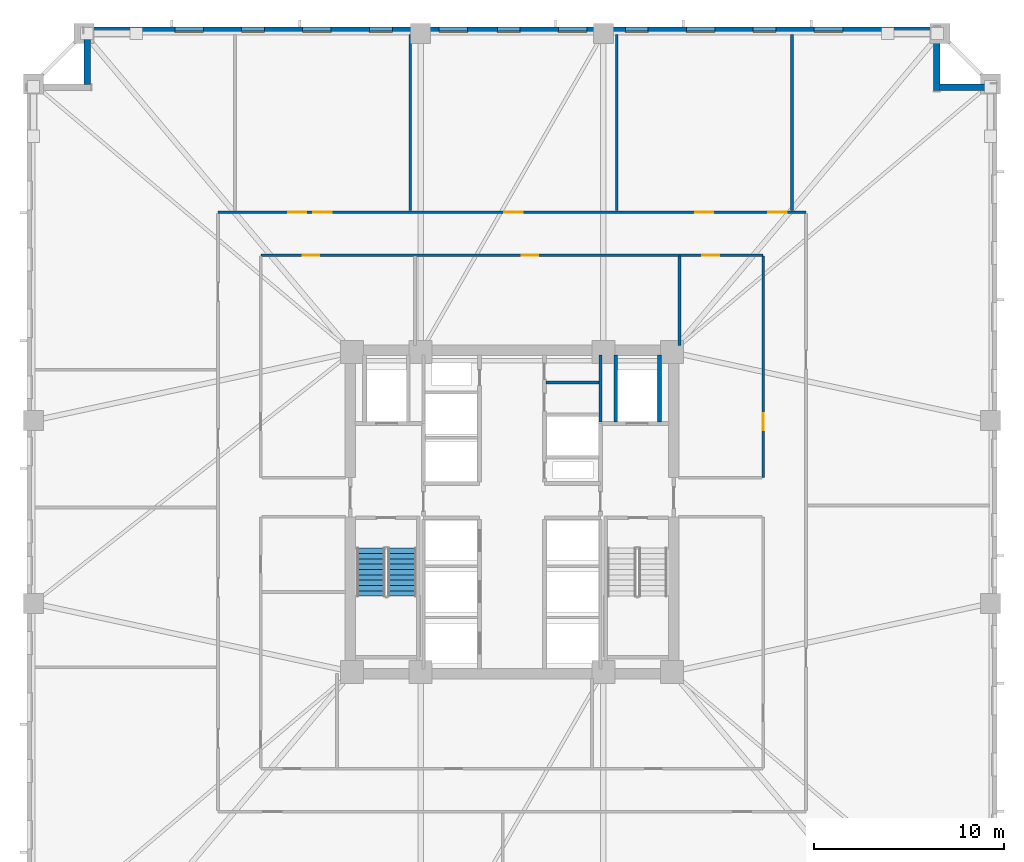
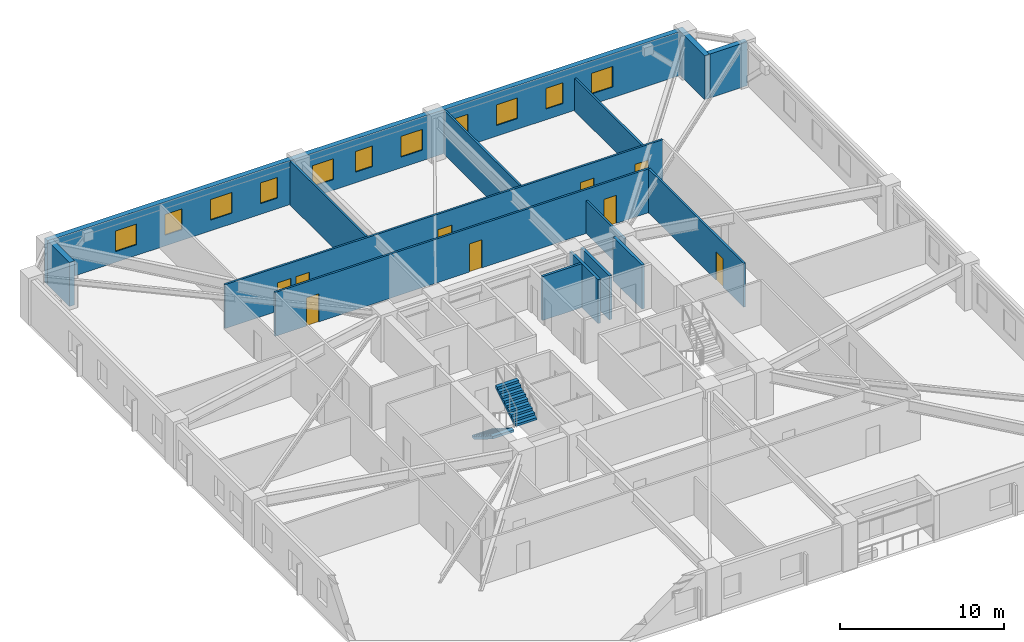
# One storey, part 5 of 11: 15 walls, 11 windows, 9 doors, 2 stair flights, 20 openings, 1 element without a shape of its own.
"""IFC4 building model written with IfcOpenShell, lengths in metres."""

from ifc_helpers import new_model, si_unit, direction, frame, frame_2d, origin, place, context, subcontext, project, spatial, polyline, rectangle, outline, extrude, material, layer, layer_set, type_object, element, fill, aggregate, save


model = new_model("IFC4")

# Units and contexts
model_context = context("Model", 3, precision=1e-05, world=origin(), true_north=direction((0.0, 1.0)))
body_context = subcontext(model_context, "Body", "Model", "MODEL_VIEW")
ifc_project = project(units=[si_unit("LENGTHUNIT", "METRE"), si_unit("AREAUNIT", "SQUARE_METRE"), si_unit("VOLUMEUNIT", "CUBIC_METRE"), si_unit("PLANEANGLEUNIT", "RADIAN"), si_unit("MASSUNIT", "GRAM", prefix="KILO")], contexts=[model_context])

# Site, building, storey
site_placement = place(None, origin())
site = spatial("IfcSite", under=ifc_project, at=site_placement, CompositionType="ELEMENT")
building_placement = place(site_placement, origin())
building = spatial("IfcBuilding", under=site, at=building_placement, Name="Cairnveth Concourse Tower", CompositionType="ELEMENT")
storey_placement = place(building_placement, frame((0.0, 0.0, 44.5)))
storey = spatial("IfcBuildingStorey", under=building, at=storey_placement, Name="L11", CompositionType="ELEMENT", Elevation=44.5)

# Walls
ifc_material_1 = material(Name="Gypsum Plasterboard Partition", Category="gypsum")
ifc_layer_1 = layer(ifc_material_1, 0.159912109375)
ifc_layer_set_1 = layer_set([ifc_layer_1], Name="Gypsum Plasterboard Partition")
wall_type_1 = type_object("IfcWallType", Name="ACOUSTIC PARTY WALL 180", PredefinedType="PARTITIONING", material=ifc_layer_set_1)
wall_1_placement = place(storey_placement, frame((53.784912109375, 45.800048828125, 0.0), z_axis=(0.0, 0.0, 1.0), x_axis=(1.0, 0.0, 0.0)))
element("IfcWall", 1, at=wall_1_placement, inside=storey, type_object=wall_type_1, Name="Interior Wall IW-L11-037", PredefinedType="PARTITIONING", context=body_context, shape_type="SweptSolid", body=[
    extrude(rectangle(XDim=2.7900390625, YDim=0.159912109375, at=frame_2d((1.39501953125, 0.0))), origin(), (0.0, 0.0, 1.0), 3.280029296875),
])
ifc_material_2 = material(Name="Concrete N50 (50 MPa)", Category="concrete")
ifc_layer_2 = layer(ifc_material_2, 0.179931640625)
ifc_layer_set_2 = layer_set([ifc_layer_2], Name="Concrete N50 (50 MPa)")
wall_type_2 = type_object("IfcWallType", Name="FIRE SHAFT WALL 180", PredefinedType="SOLIDWALL", material=ifc_layer_set_2)
wall_2_placement = place(storey_placement, frame((56.64990234375, 43.735107421875, 0.0), z_axis=(0.0, 0.0, 1.0), x_axis=(0.0, 1.0, 0.0)))
element("IfcWall", 2, at=wall_2_placement, inside=storey, type_object=wall_type_2, Name="Interior Wall IW-L11-034", PredefinedType="SOLIDWALL", context=body_context, shape_type="SweptSolid", body=[
    extrude(rectangle(XDim=3.5048828125, YDim=0.179931640625, at=frame_2d((1.75244140625, 0.0))), origin(), (0.0, 0.0, 1.0), 3.280029296875),
])
ifc_layer_3 = layer(ifc_material_2, 0.199951171875)
ifc_layer_set_3 = layer_set([ifc_layer_3], Name="Concrete N50 (50 MPa)")
wall_type_3 = type_object("IfcWallType", Name="FIRE SHAFT WALL 200", PredefinedType="SOLIDWALL", material=ifc_layer_set_3)
for number, where, z_axis, x_axis, name in (
    (3, (57.449951171875, 43.735107421875, 0.0), (0.0, 0.0, 1.0), (0.0, 1.0, 0.0), "Interior Wall IW-L11-023"),
    (4, (59.75, 43.735107421875, 0.0), (0.0, 0.0, 1.0), (0.0, 1.0, 0.0), "Interior Wall IW-L11-024"),
):
    element("IfcWall", number, at=place(storey_placement, frame(where, z_axis=z_axis, x_axis=x_axis)), inside=storey, type_object=wall_type_3, Name=name, PredefinedType="SOLIDWALL", context=body_context, shape_type="SweptSolid", body=[
        extrude(rectangle(XDim=3.5048828125, YDim=0.199951171875, at=frame_2d((1.75244140625, 0.0))), origin(), (0.0, 0.0, 1.0), 3.280029296875),
    ])

# Wall, openings, doors
ifc_layer_4 = layer(ifc_material_1, 0.139892578125)
ifc_layer_set_4 = layer_set([ifc_layer_4], Name="Gypsum Plasterboard Partition")
wall_type_4 = type_object("IfcWallType", Name="GYPSUM STUD PARTITION 140", PredefinedType="PARTITIONING", material=ifc_layer_set_4)
wall_3_placement = place(storey_placement, frame((36.550048828125, 54.75, 0.0), z_axis=(0.0, 0.0, 1.0), x_axis=(1.0, 0.0, 0.0)))
wall_3 = element("IfcWall", 5, at=wall_3_placement, inside=storey, type_object=wall_type_4, Name="Interior Wall IW-L11-039", PredefinedType="PARTITIONING", context=body_context, shape_type="SweptSolid", body=[
    extrude(rectangle(XDim=30.89990234375, YDim=0.139892578125, at=frame_2d((15.449951171875, 0.0))), origin(), (0.0, 0.0, 1.0), 3.280029296875),
])
opening_1_placement = place(wall_3_placement, frame((3.690185546875, 0.0, 0.0)))
opening_1 = element("IfcOpeningElement", 6, at=opening_1_placement, cuts=wall_3, Name="Opening ID11", PredefinedType="OPENING", context=body_context, shape_type="SweptSolid", body=[
    extrude(rectangle(XDim=0.9599609375, YDim=2.1201171875, at=frame_2d((0.47998046875, 1.06005859375))), frame((0.0, 0.079833984375, 0.0), z_axis=(0.0, -1.0, 0.0), x_axis=(1.0, 0.0, 0.0)), (0.0, 0.0, 1.0), 0.159912109375),
])
opening_2_placement = place(wall_3_placement, frame((5.012939453125, 0.0, 0.0)))
opening_2 = element("IfcOpeningElement", 7, at=opening_2_placement, cuts=wall_3, Name="Opening ID11", PredefinedType="OPENING", context=body_context, shape_type="SweptSolid", body=[
    extrude(rectangle(XDim=0.9599609375, YDim=2.1201171875, at=frame_2d((0.47998046875, 1.06005859375))), frame((0.0, 0.079833984375, 0.0), z_axis=(0.0, -1.0, 0.0), x_axis=(1.0, 0.0, 0.0)), (0.0, 0.0, 1.0), 0.159912109375),
])
opening_3_placement = place(wall_3_placement, frame((15.044921875, 0.0, 0.0)))
opening_3 = element("IfcOpeningElement", 8, at=opening_3_placement, cuts=wall_3, Name="Opening ID11", PredefinedType="OPENING", context=body_context, shape_type="SweptSolid", body=[
    extrude(rectangle(XDim=0.9599609375, YDim=2.1201171875, at=frame_2d((0.47998046875, 1.06005859375))), frame((0.0, 0.079833984375, 0.0), z_axis=(0.0, -1.0, 0.0), x_axis=(1.0, 0.0, 0.0)), (0.0, 0.0, 1.0), 0.159912109375),
])
opening_4_placement = place(wall_3_placement, frame((25.076904296875, 0.0, 0.0)))
opening_4 = element("IfcOpeningElement", 9, at=opening_4_placement, cuts=wall_3, Name="Opening ID11", PredefinedType="OPENING", context=body_context, shape_type="SweptSolid", body=[
    extrude(rectangle(XDim=0.9599609375, YDim=2.1201171875, at=frame_2d((0.47998046875, 1.06005859375))), frame((0.0, 0.079833984375, 0.0), z_axis=(0.0, -1.0, 0.0), x_axis=(1.0, 0.0, 0.0)), (0.0, 0.0, 1.0), 0.159912109375),
])
opening_5_placement = place(wall_3_placement, frame((28.919921875, 0.0, 0.0)))
opening_5 = element("IfcOpeningElement", 10, at=opening_5_placement, cuts=wall_3, Name="Opening ID11", PredefinedType="OPENING", context=body_context, shape_type="SweptSolid", body=[
    extrude(rectangle(XDim=0.9599609375, YDim=2.1201171875, at=frame_2d((0.47998046875, 1.06005859375))), frame((0.0, 0.079833984375, 0.0), z_axis=(0.0, -1.0, 0.0), x_axis=(1.0, 0.0, 0.0)), (0.0, 0.0, 1.0), 0.159912109375),
])
ifc_material_3 = material(Name="Solid Core Hardwood Timber Leaf", Category="wood")
door_type_1 = type_object("IfcDoorType", Name="INTERIOR SINGLE DOOR 960X2150", OperationType="NOTDEFINED", PredefinedType="DOOR", material=ifc_material_3)
door_1_placement = place(opening_1_placement, origin())
door_1 = element("IfcDoor", 11, at=door_1_placement, inside=storey, type_object=door_type_1, Name="Office Door L11-N1", OperationType="SINGLE_SWING_LEFT", OverallHeight=2.1201171875, OverallWidth=0.9599609375, PredefinedType="DOOR", context=body_context, shape_type="SweptSolid", body=[
    extrude(rectangle(XDim=0.9599609375, YDim=2.1201171875, at=frame_2d((0.47998046875, 1.06005859375))), frame((0.0, 0.02490234375, 0.0), z_axis=(0.0, -1.0, 0.0), x_axis=(1.0, 0.0, 0.0)), (0.0, 0.0, 1.0), 0.050048828125),
])
fill(opening_1, door_1)
door_2_placement = place(opening_2_placement, origin())
door_2 = element("IfcDoor", 12, at=door_2_placement, inside=storey, type_object=door_type_1, Name="Office Door L11-N2", OperationType="SINGLE_SWING_RIGHT", OverallHeight=2.1201171875, OverallWidth=0.9599609375, PredefinedType="DOOR", context=body_context, shape_type="SweptSolid", body=[
    extrude(rectangle(XDim=0.9599609375, YDim=2.1201171875, at=frame_2d((0.47998046875, 1.06005859375))), frame((0.0, 0.02490234375, 0.0), z_axis=(0.0, -1.0, 0.0), x_axis=(1.0, 0.0, 0.0)), (0.0, 0.0, 1.0), 0.050048828125),
])
fill(opening_2, door_2)
door_3_placement = place(opening_3_placement, origin())
door_3 = element("IfcDoor", 13, at=door_3_placement, inside=storey, type_object=door_type_1, Name="Office Door L11-N3", OperationType="SINGLE_SWING_LEFT", OverallHeight=2.1201171875, OverallWidth=0.9599609375, PredefinedType="DOOR", context=body_context, shape_type="SweptSolid", body=[
    extrude(rectangle(XDim=0.9599609375, YDim=2.1201171875, at=frame_2d((0.47998046875, 1.06005859375))), frame((0.0, 0.02490234375, 0.0), z_axis=(0.0, -1.0, 0.0), x_axis=(1.0, 0.0, 0.0)), (0.0, 0.0, 1.0), 0.050048828125),
])
fill(opening_3, door_3)
door_4_placement = place(opening_4_placement, origin())
door_4 = element("IfcDoor", 14, at=door_4_placement, inside=storey, type_object=door_type_1, Name="Office Door L11-N4", OperationType="SINGLE_SWING_RIGHT", OverallHeight=2.1201171875, OverallWidth=0.9599609375, PredefinedType="DOOR", context=body_context, shape_type="SweptSolid", body=[
    extrude(rectangle(XDim=0.9599609375, YDim=2.1201171875, at=frame_2d((0.47998046875, 1.06005859375))), frame((0.0, 0.02490234375, 0.0), z_axis=(0.0, -1.0, 0.0), x_axis=(1.0, 0.0, 0.0)), (0.0, 0.0, 1.0), 0.050048828125),
])
fill(opening_4, door_4)
door_5_placement = place(opening_5_placement, origin())
door_5 = element("IfcDoor", 15, at=door_5_placement, inside=storey, type_object=door_type_1, Name="Office Door L11-N5", OperationType="SINGLE_SWING_LEFT", OverallHeight=2.1201171875, OverallWidth=0.9599609375, PredefinedType="DOOR", context=body_context, shape_type="SweptSolid", body=[
    extrude(rectangle(XDim=0.9599609375, YDim=2.1201171875, at=frame_2d((0.47998046875, 1.06005859375))), frame((0.0, 0.02490234375, 0.0), z_axis=(0.0, -1.0, 0.0), x_axis=(1.0, 0.0, 0.0)), (0.0, 0.0, 1.0), 0.050048828125),
])
fill(opening_5, door_5)

wall_4_placement = place(storey_placement, frame((38.800048828125, 52.5, 0.0), z_axis=(0.0, 0.0, 1.0), x_axis=(1.0, 0.0, 0.0)))
wall_4 = element("IfcWall", 16, at=wall_4_placement, inside=storey, type_object=wall_type_4, Name="Interior Wall IW-L11-043", PredefinedType="PARTITIONING", context=body_context, shape_type="SweptSolid", body=[
    extrude(rectangle(XDim=26.39990234375, YDim=0.139892578125, at=frame_2d((13.199951171875, 0.0))), origin(), (0.0, 0.0, 1.0), 3.280029296875),
])
opening_6_placement = place(wall_4_placement, frame((2.199951171875, 0.0, 0.0)))
opening_6 = element("IfcOpeningElement", 17, at=opening_6_placement, cuts=wall_4, Name="Opening ID18", PredefinedType="OPENING", context=body_context, shape_type="SweptSolid", body=[
    extrude(rectangle(XDim=0.8798828125, YDim=2.10009765625, at=frame_2d((0.43994140625, 1.050048828125))), frame((0.0, 0.079833984375, 0.0), z_axis=(0.0, -1.0, 0.0), x_axis=(1.0, 0.0, 0.0)), (0.0, 0.0, 1.0), 0.159912109375),
])
opening_7_placement = place(wall_4_placement, frame((13.699951171875, 0.0, 0.0)))
opening_7 = element("IfcOpeningElement", 18, at=opening_7_placement, cuts=wall_4, Name="Opening ID18", PredefinedType="OPENING", context=body_context, shape_type="SweptSolid", body=[
    extrude(rectangle(XDim=0.8798828125, YDim=2.10009765625, at=frame_2d((0.43994140625, 1.050048828125))), frame((0.0, 0.079833984375, 0.0), z_axis=(0.0, -1.0, 0.0), x_axis=(1.0, 0.0, 0.0)), (0.0, 0.0, 1.0), 0.159912109375),
])
opening_8_placement = place(wall_4_placement, frame((23.199951171875, 0.0, 0.0)))
opening_8 = element("IfcOpeningElement", 19, at=opening_8_placement, cuts=wall_4, Name="Opening ID18", PredefinedType="OPENING", context=body_context, shape_type="SweptSolid", body=[
    extrude(rectangle(XDim=0.8798828125, YDim=2.10009765625, at=frame_2d((0.43994140625, 1.050048828125))), frame((0.0, 0.079833984375, 0.0), z_axis=(0.0, -1.0, 0.0), x_axis=(1.0, 0.0, 0.0)), (0.0, 0.0, 1.0), 0.159912109375),
])
door_type_2 = type_object("IfcDoorType", Name="INTERIOR SINGLE DOOR 880X2100", OperationType="NOTDEFINED", PredefinedType="DOOR", material=ifc_material_3)
door_6_placement = place(opening_6_placement, origin())
door_6 = element("IfcDoor", 20, at=door_6_placement, inside=storey, type_object=door_type_2, Name="Interior Door DR-L11-017", OperationType="SINGLE_SWING_LEFT", OverallHeight=2.10009765625, OverallWidth=0.8798828125, PredefinedType="DOOR", context=body_context, shape_type="SweptSolid", body=[
    extrude(rectangle(XDim=0.8798828125, YDim=2.10009765625, at=frame_2d((0.43994140625, 1.050048828125))), frame((0.0, 0.02490234375, 0.0), z_axis=(0.0, -1.0, 0.0), x_axis=(1.0, 0.0, 0.0)), (0.0, 0.0, 1.0), 0.050048828125),
])
fill(opening_6, door_6)
door_7_placement = place(opening_7_placement, origin())
door_7 = element("IfcDoor", 21, at=door_7_placement, inside=storey, type_object=door_type_2, Name="Interior Door DR-L11-018", OperationType="SINGLE_SWING_RIGHT", OverallHeight=2.10009765625, OverallWidth=0.8798828125, PredefinedType="DOOR", context=body_context, shape_type="SweptSolid", body=[
    extrude(rectangle(XDim=0.8798828125, YDim=2.10009765625, at=frame_2d((0.43994140625, 1.050048828125))), frame((0.0, 0.02490234375, 0.0), z_axis=(0.0, -1.0, 0.0), x_axis=(1.0, 0.0, 0.0)), (0.0, 0.0, 1.0), 0.050048828125),
])
fill(opening_7, door_7)
door_8_placement = place(opening_8_placement, origin())
door_8 = element("IfcDoor", 22, at=door_8_placement, inside=storey, type_object=door_type_2, Name="Interior Door DR-L11-019", OperationType="SINGLE_SWING_LEFT", OverallHeight=2.10009765625, OverallWidth=0.8798828125, PredefinedType="DOOR", context=body_context, shape_type="SweptSolid", body=[
    extrude(rectangle(XDim=0.8798828125, YDim=2.10009765625, at=frame_2d((0.43994140625, 1.050048828125))), frame((0.0, 0.02490234375, 0.0), z_axis=(0.0, -1.0, 0.0), x_axis=(1.0, 0.0, 0.0)), (0.0, 0.0, 1.0), 0.050048828125),
])
fill(opening_8, door_8)

# Wall, opening, door
wall_5_placement = place(storey_placement, frame((65.199951171875, 40.800048828125, 0.0), z_axis=(0.0, 0.0, 1.0), x_axis=(0.0, 1.0, 0.0)))
wall_5 = element("IfcWall", 23, at=wall_5_placement, inside=storey, type_object=wall_type_4, Name="Interior Wall IW-L11-049", PredefinedType="PARTITIONING", context=body_context, shape_type="SweptSolid", body=[
    extrude(rectangle(XDim=11.64501953125, YDim=0.139892578125, at=frame_2d((5.822509765625, 0.0))), origin(), (0.0, 0.0, 1.0), 3.280029296875),
])
opening_9_placement = place(wall_5_placement, frame((2.5, 0.0, 0.0)))
opening_9 = element("IfcOpeningElement", 24, at=opening_9_placement, cuts=wall_5, Name="Opening ID18", PredefinedType="OPENING", context=body_context, shape_type="SweptSolid", body=[
    extrude(rectangle(XDim=0.8798828125, YDim=2.10009765625, at=frame_2d((0.43994140625, 1.050048828125))), frame((0.0, 0.079833984375, 0.0), z_axis=(0.0, -1.0, 0.0), x_axis=(1.0, 0.0, 0.0)), (0.0, 0.0, 1.0), 0.159912109375),
])
door_9_placement = place(opening_9_placement, origin())
door_9 = element("IfcDoor", 25, at=door_9_placement, inside=storey, type_object=door_type_2, Name="Interior Door DR-L11-024", OperationType="SINGLE_SWING_RIGHT", OverallHeight=2.10009765625, OverallWidth=0.8798828125, PredefinedType="DOOR", context=body_context, shape_type="SweptSolid", body=[
    extrude(rectangle(XDim=0.8798828125, YDim=2.10009765625, at=frame_2d((0.43994140625, 1.050048828125))), frame((0.0, 0.02490234375, 0.0), z_axis=(0.0, -1.0, 0.0), x_axis=(1.0, 0.0, 0.0)), (0.0, 0.0, 1.0), 0.050048828125),
])
fill(opening_9, door_9)

# Walls
wall_6_placement = place(storey_placement, frame((60.800048828125, 47.760009765625, 0.0), z_axis=(0.0, 0.0, 1.0), x_axis=(0.0, 1.0, 0.0)))
element("IfcWall", 26, at=wall_6_placement, inside=storey, type_object=wall_type_4, Name="Interior Wall IW-L11-055", PredefinedType="PARTITIONING", context=body_context, shape_type="SweptSolid", body=[
    extrude(rectangle(XDim=4.68505859375, YDim=0.139892578125, at=frame_2d((2.342529296875, 0.0))), origin(), (0.0, 0.0, 1.0), 2.43896484375),
])
for number, where, z_axis, x_axis, name in (
    (27, (46.646484375, 54.85009765625, 0.0), (0.0, 0.0, 1.0), (0.0, 1.0, 0.0), "Interior Wall IW-L11-059"),
    (28, (57.50341796875, 54.85009765625, 0.0), (0.0, 0.0, 1.0), (0.0, 1.0, 0.0), "Interior Wall IW-L11-060"),
):
    element("IfcWall", number, at=place(storey_placement, frame(where, z_axis=z_axis, x_axis=x_axis)), inside=storey, type_object=wall_type_4, Name=name, PredefinedType="PARTITIONING", context=body_context, shape_type="SweptSolid", body=[
        extrude(rectangle(XDim=9.22998046875, YDim=0.139892578125, at=frame_2d((4.614990234375, 0.0))), origin(), (0.0, 0.0, 1.0), 3.280029296875),
    ])
wall_7_placement = place(storey_placement, frame((66.71044921875, 54.85009765625, 0.0), z_axis=(0.0, 0.0, 1.0), x_axis=(0.0, 1.0, 0.0)))
element("IfcWall", 29, at=wall_7_placement, inside=storey, type_object=wall_type_4, Name="Interior Wall IW-L11-061", PredefinedType="PARTITIONING", context=body_context, shape_type="SweptSolid", body=[
    extrude(rectangle(XDim=9.22998046875, YDim=0.139892578125, at=frame_2d((4.614990234375, 0.0))), origin(), (0.0, 0.0, 1.0), 2.43896484375),
])
ifc_material_4 = material(Name="Hawthorn Red-Ochre Fired Clay Brick Masonry", Category="masonry")
ifc_layer_5 = layer(ifc_material_4, 0.360107421875)
ifc_layer_set_5 = layer_set([ifc_layer_5], Name="Hawthorn Red-Ochre Fired Clay Brick Masonry")
wall_type_5 = type_object("IfcWallType", Name="ZONE 1 BRICK PIER SPANDREL WALL 360", PredefinedType="SOLIDWALL", material=ifc_layer_set_5)
wall_8_placement = place(storey_placement, frame((29.679931640625, 61.47802734375, 0.0), z_axis=(0.0, 0.0, 1.0), x_axis=(0.0, 1.0, 0.0)))
element("IfcWall", 30, at=wall_8_placement, inside=storey, type_object=wall_type_5, Name="Exterior Wall EW-L11-S05", PredefinedType="SOLIDWALL", context=body_context, shape_type="SweptSolid", body=[
    extrude(rectangle(XDim=2.68408203125, YDim=0.360107421875, at=frame_2d((1.342041015625, 0.0))), origin(), (0.0, 0.0, 1.0), 3.280029296875),
])

# Wall, openings, windows
wall_9_placement = place(storey_placement, frame((29.5, 64.320068359375, 0.0), z_axis=(0.0, 0.0, 1.0), x_axis=(1.0, 0.0, 0.0)))
wall_9 = element("IfcWall", 31, at=wall_9_placement, inside=storey, type_object=wall_type_5, Name="Exterior Wall EW-L11-S06", PredefinedType="SOLIDWALL", context=body_context, shape_type="SweptSolid", body=[
    extrude(rectangle(XDim=44.662109375, YDim=0.360107421875, at=frame_2d((22.3310546875, 0.0))), origin(), (0.0, 0.0, 1.0), 3.280029296875),
])
opening_10_placement = place(wall_9_placement, frame((4.780029296875, 0.0, 0.800048828125)))
opening_10 = element("IfcOpeningElement", 32, at=opening_10_placement, cuts=wall_9, Name="Opening W03", PredefinedType="OPENING", context=body_context, shape_type="SweptSolid", body=[
    extrude(rectangle(XDim=1.5, YDim=1.5439453125, at=frame_2d((0.75, 0.77197265625))), frame((0.0, 0.18994140625, 0.0), z_axis=(0.0, -1.0, 0.0), x_axis=(1.0, 0.0, 0.0)), (0.0, 0.0, 1.0), 0.380126953125),
])
opening_11_placement = place(wall_9_placement, frame((8.290283203125, 0.0, 0.800048828125)))
opening_11 = element("IfcOpeningElement", 33, at=opening_11_placement, cuts=wall_9, Name="Opening W01", PredefinedType="OPENING", context=body_context, shape_type="SweptSolid", body=[
    extrude(rectangle(XDim=1.199951171875, YDim=1.5439453125, at=frame_2d((0.60009765625, 0.77197265625))), frame((0.0, 0.18994140625, 0.0), z_axis=(0.0, -1.0, 0.0), x_axis=(1.0, 0.0, 0.0)), (0.0, 0.0, 1.0), 0.380126953125),
])
opening_12_placement = place(wall_9_placement, frame((11.50048828125, 0.0, 0.800048828125)))
opening_12 = element("IfcOpeningElement", 34, at=opening_12_placement, cuts=wall_9, Name="Opening W03", PredefinedType="OPENING", context=body_context, shape_type="SweptSolid", body=[
    extrude(rectangle(XDim=1.5, YDim=1.5439453125, at=frame_2d((0.75, 0.77197265625))), frame((0.0, 0.18994140625, 0.0), z_axis=(0.0, -1.0, 0.0), x_axis=(1.0, 0.0, 0.0)), (0.0, 0.0, 1.0), 0.380126953125),
])
opening_13_placement = place(wall_9_placement, frame((15.010498046875, 0.0, 0.800048828125)))
opening_13 = element("IfcOpeningElement", 35, at=opening_13_placement, cuts=wall_9, Name="Opening W01", PredefinedType="OPENING", context=body_context, shape_type="SweptSolid", body=[
    extrude(rectangle(XDim=1.199951171875, YDim=1.5439453125, at=frame_2d((0.60009765625, 0.77197265625))), frame((0.0, 0.18994140625, 0.0), z_axis=(0.0, -1.0, 0.0), x_axis=(1.0, 0.0, 0.0)), (0.0, 0.0, 1.0), 0.380126953125),
])
opening_14_placement = place(wall_9_placement, frame((18.6708984375, 0.0, 0.800048828125)))
opening_14 = element("IfcOpeningElement", 36, at=opening_14_placement, cuts=wall_9, Name="Opening W03", PredefinedType="OPENING", context=body_context, shape_type="SweptSolid", body=[
    extrude(rectangle(XDim=1.5, YDim=1.5439453125, at=frame_2d((0.75, 0.77197265625))), frame((0.0, 0.18994140625, 0.0), z_axis=(0.0, -1.0, 0.0), x_axis=(1.0, 0.0, 0.0)), (0.0, 0.0, 1.0), 0.380126953125),
])
opening_15_placement = place(wall_9_placement, frame((21.73095703125, 0.0, 0.800048828125)))
opening_15 = element("IfcOpeningElement", 37, at=opening_15_placement, cuts=wall_9, Name="Opening W01", PredefinedType="OPENING", context=body_context, shape_type="SweptSolid", body=[
    extrude(rectangle(XDim=1.199951171875, YDim=1.5439453125, at=frame_2d((0.60009765625, 0.77197265625))), frame((0.0, 0.18994140625, 0.0), z_axis=(0.0, -1.0, 0.0), x_axis=(1.0, 0.0, 0.0)), (0.0, 0.0, 1.0), 0.380126953125),
])
opening_16_placement = place(wall_9_placement, frame((24.941162109375, 0.0, 0.800048828125)))
opening_16 = element("IfcOpeningElement", 38, at=opening_16_placement, cuts=wall_9, Name="Opening W03", PredefinedType="OPENING", context=body_context, shape_type="SweptSolid", body=[
    extrude(rectangle(XDim=1.5, YDim=1.5439453125, at=frame_2d((0.75, 0.77197265625))), frame((0.0, 0.18994140625, 0.0), z_axis=(0.0, -1.0, 0.0), x_axis=(1.0, 0.0, 0.0)), (0.0, 0.0, 1.0), 0.380126953125),
])
opening_17_placement = place(wall_9_placement, frame((28.451416015625, 0.0, 0.800048828125)))
opening_17 = element("IfcOpeningElement", 39, at=opening_17_placement, cuts=wall_9, Name="Opening W01", PredefinedType="OPENING", context=body_context, shape_type="SweptSolid", body=[
    extrude(rectangle(XDim=1.199951171875, YDim=1.5439453125, at=frame_2d((0.60009765625, 0.77197265625))), frame((0.0, 0.18994140625, 0.0), z_axis=(0.0, -1.0, 0.0), x_axis=(1.0, 0.0, 0.0)), (0.0, 0.0, 1.0), 0.380126953125),
])
opening_18_placement = place(wall_9_placement, frame((31.66162109375, 0.0, 0.800048828125)))
opening_18 = element("IfcOpeningElement", 40, at=opening_18_placement, cuts=wall_9, Name="Opening W03", PredefinedType="OPENING", context=body_context, shape_type="SweptSolid", body=[
    extrude(rectangle(XDim=1.5, YDim=1.5439453125, at=frame_2d((0.75, 0.77197265625))), frame((0.0, 0.18994140625, 0.0), z_axis=(0.0, -1.0, 0.0), x_axis=(1.0, 0.0, 0.0)), (0.0, 0.0, 1.0), 0.380126953125),
])
opening_19_placement = place(wall_9_placement, frame((35.171630859375, 0.0, 0.800048828125)))
opening_19 = element("IfcOpeningElement", 41, at=opening_19_placement, cuts=wall_9, Name="Opening W01", PredefinedType="OPENING", context=body_context, shape_type="SweptSolid", body=[
    extrude(rectangle(XDim=1.199951171875, YDim=1.5439453125, at=frame_2d((0.60009765625, 0.77197265625))), frame((0.0, 0.18994140625, 0.0), z_axis=(0.0, -1.0, 0.0), x_axis=(1.0, 0.0, 0.0)), (0.0, 0.0, 1.0), 0.380126953125),
])
opening_20_placement = place(wall_9_placement, frame((38.3818359375, 0.0, 0.800048828125)))
opening_20 = element("IfcOpeningElement", 42, at=opening_20_placement, cuts=wall_9, Name="Opening W03", PredefinedType="OPENING", context=body_context, shape_type="SweptSolid", body=[
    extrude(rectangle(XDim=1.5, YDim=1.5439453125, at=frame_2d((0.75, 0.77197265625))), frame((0.0, 0.18994140625, 0.0), z_axis=(0.0, -1.0, 0.0), x_axis=(1.0, 0.0, 0.0)), (0.0, 0.0, 1.0), 0.380126953125),
])
ifc_material_5 = material(Name="Double Glazed Low-E Clear Glass", Category="glass")
window_type_1 = type_object("IfcWindowType", Name="DEEP-SET GOTHIC LANCET WINDOW 1200X1800", PartitioningType="DOUBLE_PANEL_VERTICAL", PredefinedType="WINDOW", material=ifc_material_5)
window_1_placement = place(opening_11_placement, origin())
window_1 = element("IfcWindow", 43, at=window_1_placement, inside=storey, type_object=window_type_1, Name="Gothic Lancet Window L11-6-2", OverallHeight=1.5439453125, OverallWidth=1.199951171875, PartitioningType="SINGLE_PANEL", PredefinedType="WINDOW", context=body_context, shape_type="SweptSolid", body=[
    extrude(rectangle(XDim=1.199951171875, YDim=1.5439453125, at=frame_2d((0.60009765625, 0.77197265625))), frame((0.0, -0.050048828125, 0.0), z_axis=(0.0, -1.0, 0.0), x_axis=(1.0, 0.0, 0.0)), (0.0, 0.0, 1.0), 0.06005859375),
])
fill(opening_11, window_1)
window_2_placement = place(opening_13_placement, origin())
window_2 = element("IfcWindow", 44, at=window_2_placement, inside=storey, type_object=window_type_1, Name="Gothic Lancet Window L11-6-4", OverallHeight=1.5439453125, OverallWidth=1.199951171875, PartitioningType="SINGLE_PANEL", PredefinedType="WINDOW", context=body_context, shape_type="SweptSolid", body=[
    extrude(rectangle(XDim=1.199951171875, YDim=1.5439453125, at=frame_2d((0.60009765625, 0.77197265625))), frame((0.0, -0.050048828125, 0.0), z_axis=(0.0, -1.0, 0.0), x_axis=(1.0, 0.0, 0.0)), (0.0, 0.0, 1.0), 0.06005859375),
])
fill(opening_13, window_2)
window_3_placement = place(opening_15_placement, origin())
window_3 = element("IfcWindow", 45, at=window_3_placement, inside=storey, type_object=window_type_1, Name="Gothic Lancet Window L11-6-6", OverallHeight=1.5439453125, OverallWidth=1.199951171875, PartitioningType="SINGLE_PANEL", PredefinedType="WINDOW", context=body_context, shape_type="SweptSolid", body=[
    extrude(rectangle(XDim=1.199951171875, YDim=1.5439453125, at=frame_2d((0.60009765625, 0.77197265625))), frame((0.0, -0.050048828125, 0.0), z_axis=(0.0, -1.0, 0.0), x_axis=(1.0, 0.0, 0.0)), (0.0, 0.0, 1.0), 0.06005859375),
])
fill(opening_15, window_3)
window_4_placement = place(opening_17_placement, origin())
window_4 = element("IfcWindow", 46, at=window_4_placement, inside=storey, type_object=window_type_1, Name="Gothic Lancet Window L11-6-8", OverallHeight=1.5439453125, OverallWidth=1.199951171875, PartitioningType="SINGLE_PANEL", PredefinedType="WINDOW", context=body_context, shape_type="SweptSolid", body=[
    extrude(rectangle(XDim=1.199951171875, YDim=1.5439453125, at=frame_2d((0.60009765625, 0.77197265625))), frame((0.0, -0.050048828125, 0.0), z_axis=(0.0, -1.0, 0.0), x_axis=(1.0, 0.0, 0.0)), (0.0, 0.0, 1.0), 0.06005859375),
])
fill(opening_17, window_4)
window_5_placement = place(opening_19_placement, origin())
window_5 = element("IfcWindow", 47, at=window_5_placement, inside=storey, type_object=window_type_1, Name="Gothic Lancet Window L11-6-10", OverallHeight=1.5439453125, OverallWidth=1.199951171875, PartitioningType="SINGLE_PANEL", PredefinedType="WINDOW", context=body_context, shape_type="SweptSolid", body=[
    extrude(rectangle(XDim=1.199951171875, YDim=1.5439453125, at=frame_2d((0.60009765625, 0.77197265625))), frame((0.0, -0.050048828125, 0.0), z_axis=(0.0, -1.0, 0.0), x_axis=(1.0, 0.0, 0.0)), (0.0, 0.0, 1.0), 0.06005859375),
])
fill(opening_19, window_5)
window_type_2 = type_object("IfcWindowType", Name="DEEP-SET GOTHIC LANCET WINDOW 1500X1800", PartitioningType="DOUBLE_PANEL_VERTICAL", PredefinedType="WINDOW", material=ifc_material_5)
window_6_placement = place(opening_10_placement, origin())
window_6 = element("IfcWindow", 48, at=window_6_placement, inside=storey, type_object=window_type_2, Name="Gothic Lancet Window L11-6-1", OverallHeight=1.5439453125, OverallWidth=1.5, PartitioningType="SINGLE_PANEL", PredefinedType="WINDOW", context=body_context, shape_type="SweptSolid", body=[
    extrude(rectangle(XDim=1.5, YDim=1.5439453125, at=frame_2d((0.75, 0.77197265625))), frame((0.0, -0.050048828125, 0.0), z_axis=(0.0, -1.0, 0.0), x_axis=(1.0, 0.0, 0.0)), (0.0, 0.0, 1.0), 0.06005859375),
])
fill(opening_10, window_6)
window_7_placement = place(opening_12_placement, origin())
window_7 = element("IfcWindow", 49, at=window_7_placement, inside=storey, type_object=window_type_2, Name="Gothic Lancet Window L11-6-3", OverallHeight=1.5439453125, OverallWidth=1.5, PartitioningType="SINGLE_PANEL", PredefinedType="WINDOW", context=body_context, shape_type="SweptSolid", body=[
    extrude(rectangle(XDim=1.5, YDim=1.5439453125, at=frame_2d((0.75, 0.77197265625))), frame((0.0, -0.050048828125, 0.0), z_axis=(0.0, -1.0, 0.0), x_axis=(1.0, 0.0, 0.0)), (0.0, 0.0, 1.0), 0.06005859375),
])
fill(opening_12, window_7)
window_8_placement = place(opening_14_placement, origin())
window_8 = element("IfcWindow", 50, at=window_8_placement, inside=storey, type_object=window_type_2, Name="Gothic Lancet Window L11-6-5", OverallHeight=1.5439453125, OverallWidth=1.5, PartitioningType="SINGLE_PANEL", PredefinedType="WINDOW", context=body_context, shape_type="SweptSolid", body=[
    extrude(rectangle(XDim=1.5, YDim=1.5439453125, at=frame_2d((0.75, 0.77197265625))), frame((0.0, -0.050048828125, 0.0), z_axis=(0.0, -1.0, 0.0), x_axis=(1.0, 0.0, 0.0)), (0.0, 0.0, 1.0), 0.06005859375),
])
fill(opening_14, window_8)
window_9_placement = place(opening_16_placement, origin())
window_9 = element("IfcWindow", 51, at=window_9_placement, inside=storey, type_object=window_type_2, Name="Gothic Lancet Window L11-6-7", OverallHeight=1.5439453125, OverallWidth=1.5, PartitioningType="SINGLE_PANEL", PredefinedType="WINDOW", context=body_context, shape_type="SweptSolid", body=[
    extrude(rectangle(XDim=1.5, YDim=1.5439453125, at=frame_2d((0.75, 0.77197265625))), frame((0.0, -0.050048828125, 0.0), z_axis=(0.0, -1.0, 0.0), x_axis=(1.0, 0.0, 0.0)), (0.0, 0.0, 1.0), 0.06005859375),
])
fill(opening_16, window_9)
window_10_placement = place(opening_18_placement, origin())
window_10 = element("IfcWindow", 52, at=window_10_placement, inside=storey, type_object=window_type_2, Name="Gothic Lancet Window L11-6-9", OverallHeight=1.5439453125, OverallWidth=1.5, PartitioningType="SINGLE_PANEL", PredefinedType="WINDOW", context=body_context, shape_type="SweptSolid", body=[
    extrude(rectangle(XDim=1.5, YDim=1.5439453125, at=frame_2d((0.75, 0.77197265625))), frame((0.0, -0.050048828125, 0.0), z_axis=(0.0, -1.0, 0.0), x_axis=(1.0, 0.0, 0.0)), (0.0, 0.0, 1.0), 0.06005859375),
])
fill(opening_18, window_10)
window_11_placement = place(opening_20_placement, origin())
window_11 = element("IfcWindow", 53, at=window_11_placement, inside=storey, type_object=window_type_2, Name="Gothic Lancet Window L11-6-11", OverallHeight=1.5439453125, OverallWidth=1.5, PartitioningType="SINGLE_PANEL", PredefinedType="WINDOW", context=body_context, shape_type="SweptSolid", body=[
    extrude(rectangle(XDim=1.5, YDim=1.5439453125, at=frame_2d((0.75, 0.77197265625))), frame((0.0, -0.050048828125, 0.0), z_axis=(0.0, -1.0, 0.0), x_axis=(1.0, 0.0, 0.0)), (0.0, 0.0, 1.0), 0.06005859375),
])
fill(opening_20, window_11)

# Walls
wall_10_placement = place(storey_placement, frame((74.320068359375, 64.5, 0.0), z_axis=(0.0, 0.0, 1.0), x_axis=(0.0, -1.0, 0.0)))
element("IfcWall", 54, at=wall_10_placement, inside=storey, type_object=wall_type_5, Name="Exterior Wall EW-L11-S07", PredefinedType="SOLIDWALL", context=body_context, shape_type="SweptSolid", body=[
    extrude(rectangle(XDim=3.360107421875, YDim=0.360107421875, at=frame_2d((1.68017578125, 0.0))), origin(), (0.0, 0.0, 1.0), 3.280029296875),
])
wall_11_placement = place(storey_placement, frame((74.47802734375, 61.320068359375, 0.0), z_axis=(0.0, 0.0, 1.0), x_axis=(1.0, 0.0, 0.0)))
element("IfcWall", 55, at=wall_11_placement, inside=storey, type_object=wall_type_5, Name="Exterior Wall EW-L11-S08", PredefinedType="SOLIDWALL", context=body_context, shape_type="SweptSolid", body=[
    extrude(rectangle(XDim=2.68408203125, YDim=0.360107421875, at=frame_2d((1.342041015625, 0.0))), origin(), (0.0, 0.0, 1.0), 3.280029296875),
])

# Stair, stair flights
ifc_material_6 = material(Name="Precast concrete N50 (50 MPa)", Category="concrete")
stair_type = type_object("IfcStairType", Name="CORE DOG-LEG FIRE STAIR 1500", PredefinedType="HALF_TURN_STAIR", material=ifc_material_6)
stair_placement = place(storey_placement, origin())
stair = element("IfcStair", 56, at=stair_placement, inside=storey, type_object=stair_type, Name="L11 Fire-Isolated Stair ST-1", PredefinedType="HALF_TURN_STAIR")
stair_flight_type = type_object("IfcStairFlightType", Name="PRECAST CONCRETE STAIR FLIGHT 1500", PredefinedType="STRAIGHT", material=ifc_material_6)
stair_flight_1_placement = place(storey_placement, frame((44.590087890625, 37.10009765625, 0.0), z_axis=(0.0, 0.0, 1.0), x_axis=(0.0, -1.0, 0.0)))
stair_flight_1 = element("IfcStairFlight", 57, at=stair_flight_1_placement, type_object=stair_flight_type, Name="ST-1 flight 1", NumberOfRisers=10, NumberOfTreads=9, PredefinedType="STRAIGHT", RiserHeight=0.175, TreadLength=0.28, context=body_context, shape_type="SweptSolid", body=[
    extrude(outline(polyline([(0.0, 0.0), (0.0, 0.175048828125), (0.280029296875, 0.175048828125), (0.280029296875, 0.35009765625), (0.56005859375, 0.35009765625), (0.56005859375, 0.52490234375), (0.840087890625, 0.52490234375), (0.840087890625, 0.699951171875), (1.1201171875, 0.699951171875), (1.1201171875, 0.875), (1.39990234375, 0.875), (1.39990234375, 1.050048828125), (1.679931640625, 1.050048828125), (1.679931640625, 1.22509765625), (1.9599609375, 1.22509765625), (1.9599609375, 1.39990234375), (2.239990234375, 1.39990234375), (2.239990234375, 1.574951171875), (2.52001953125, 1.574951171875), (2.52001953125, 1.75), (2.52001953125, 1.398193359375), (0.28271484375, 0.0), (0.0, 0.0)])), frame((0.0, 0.75, 0.0), z_axis=(0.0, -1.0, 0.0), x_axis=(1.0, 0.0, 0.0)), (0.0, 0.0, 1.0), 1.5),
])
stair_flight_2_placement = place(storey_placement, frame((46.22998046875, 34.580078125, 1.75), z_axis=(0.0, 0.0, 1.0), x_axis=(0.0, 1.0, 0.0)))
stair_flight_2 = element("IfcStairFlight", 58, at=stair_flight_2_placement, type_object=stair_flight_type, Name="ST-1 flight 2", NumberOfRisers=10, NumberOfTreads=9, PredefinedType="STRAIGHT", RiserHeight=0.175, TreadLength=0.28, context=body_context, shape_type="SweptSolid", body=[
    extrude(outline(polyline([(0.0, 0.0), (0.0, 0.175048828125), (0.280029296875, 0.175048828125), (0.280029296875, 0.35009765625), (0.56005859375, 0.35009765625), (0.56005859375, 0.52490234375), (0.840087890625, 0.52490234375), (0.840087890625, 0.699951171875), (1.1201171875, 0.699951171875), (1.1201171875, 0.875), (1.39990234375, 0.875), (1.39990234375, 1.050048828125), (1.679931640625, 1.050048828125), (1.679931640625, 1.22509765625), (1.9599609375, 1.22509765625), (1.9599609375, 1.39990234375), (2.239990234375, 1.39990234375), (2.239990234375, 1.574951171875), (2.52001953125, 1.574951171875), (2.52001953125, 1.75), (2.52001953125, 1.398193359375), (0.28271484375, 0.0), (0.0, 0.0)])), frame((0.0, 0.75, 0.0), z_axis=(0.0, -1.0, 0.0), x_axis=(1.0, 0.0, 0.0)), (0.0, 0.0, 1.0), 1.5),
])
aggregate(stair, [stair_flight_1, stair_flight_2])

save(model, "model.ifc")
